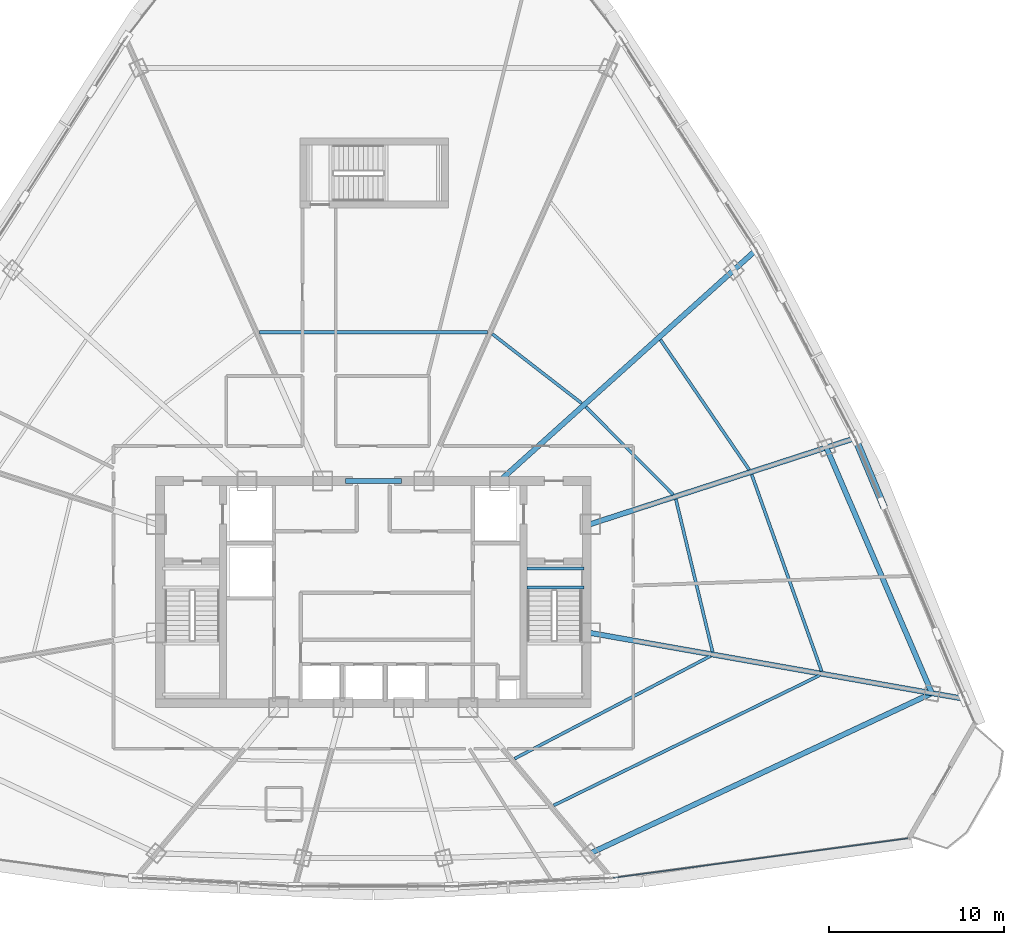
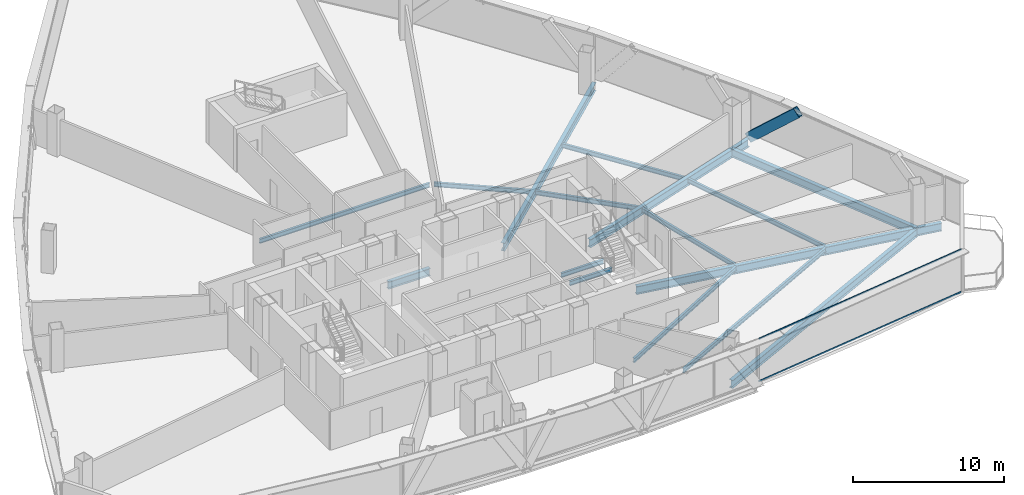
# One storey, part 15 of 37: 16 beams, 3 members, 1 element without a shape of its own.
"""IFC4 building model written with IfcOpenShell, lengths in metres."""

from ifc_helpers import new_model, si_unit, direction, frame, origin, origin_2d, place, context, subcontext, project, spatial, hollow_rectangle, i_section, extrude, source, transform, mapped, material, layer, layer_set, material_profile, profile_set, type_object, element, aggregate, save


model = new_model("IFC4")

# Units and contexts
model_context = context("Model", 3, precision=1e-05, world=origin(), true_north=direction((0.0, 1.0)))
body_context = subcontext(model_context, "Body", "Model", "MODEL_VIEW")
ifc_project = project(units=[si_unit("LENGTHUNIT", "METRE"), si_unit("AREAUNIT", "SQUARE_METRE"), si_unit("VOLUMEUNIT", "CUBIC_METRE"), si_unit("PLANEANGLEUNIT", "RADIAN"), si_unit("MASSUNIT", "GRAM", prefix="KILO"), si_unit("THERMODYNAMICTEMPERATUREUNIT", "KELVIN"), si_unit("POWERUNIT", "WATT")], contexts=[model_context])

# Site, building, storey
site_placement = place(None, origin())
site = spatial("IfcSite", under=ifc_project, at=site_placement, CompositionType="ELEMENT")
building_placement = place(site_placement, origin())
building = spatial("IfcBuilding", under=site, at=building_placement, Name="Yunzhuo Pagoda Commons", CompositionType="ELEMENT")
storey_placement = place(building_placement, frame((0.0, 0.0, 255.719970703125)))
storey = spatial("IfcBuildingStorey", under=building, at=storey_placement, Name="L64", CompositionType="ELEMENT", Elevation=255.719970703125)

# Beams
ifc_material_1 = material(Name="Structural steel Q355B", Category="steel")
ifc_material_profile_1 = material_profile(ifc_material_1, i_section(OverallWidth=0.175048828125, OverallDepth=0.35009765625, WebThickness=0.007080078125, FlangeThickness=0.010986328125, at=origin_2d()), Name="Structural steel Q355B")
ifc_profile_set_1 = profile_set([ifc_material_profile_1], Name="Structural steel Q355B")
beam_type_1 = type_object("IfcBeamType", Name="B-JS2 Joist HN 350x175x7x11", PredefinedType="JOIST", material=ifc_profile_set_1)
shared_shape_1 = source(origin(), body_context, "Body", "SweptSolid", [
    extrude(i_section(OverallWidth=0.175048828125, OverallDepth=0.35009765625, WebThickness=0.007080078125, FlangeThickness=0.010986328125, at=origin_2d()), origin(), (0.0, 0.0, 1.0), 3.25),
])
for number, where, z_axis, x_axis, name in (
    (1, (56.800048828125, 34.10009765625, -0.375), (1.0, 0.0, 0.0), (0.0, 1.0, 0.0), "L64 ST2 landing support beam 168A"),
    (2, (56.800048828125, 35.199951171875, -0.375), (1.0, 0.0, 0.0), (0.0, 1.0, 0.0), "L64 ST2 landing support beam 168B"),
):
    element("IfcBeam", number, at=place(storey_placement, frame(where, z_axis=z_axis, x_axis=x_axis)), inside=storey, type_object=beam_type_1, Name=name, PredefinedType="JOIST", context=body_context, shape_type="MappedRepresentation", body=[
        mapped(shared_shape_1, transform((0.0, 0.0, 0.0), scale=1.0)),
    ])
ifc_material_2 = material(Name="Structural steel Q420B", Category="steel")
ifc_material_profile_2 = material_profile(ifc_material_2, i_section(OverallWidth=0.300048828125, OverallDepth=0.587890625, WebThickness=0.011962890625, FlangeThickness=0.02001953125, at=origin_2d()), Name="Structural steel Q420B")
ifc_profile_set_2 = profile_set([ifc_material_profile_2], Name="Structural steel Q420B")
beam_type_2 = type_object("IfcBeamType", Name="B-CPL Beam HM 588x300x12x20", PredefinedType="BEAM", material=ifc_profile_set_2)
shared_shape_2 = source(origin(), body_context, "Body", "SweptSolid", [
    extrude(i_section(OverallWidth=0.300048828125, OverallDepth=0.587890625, WebThickness=0.011962890625, FlangeThickness=0.02001953125, at=origin_2d()), origin(), (0.0, 0.0, 1.0), 3.2001953125),
])
beam_1_placement = place(storey_placement, frame((46.39990234375, 40.199951171875, -0.553955078125), z_axis=(1.0, 0.0, 0.0), x_axis=(0.0, 1.0, 0.0)))
element("IfcBeam", 3, at=beam_1_placement, inside=storey, type_object=beam_type_2, Name="L64 core coupling girder", PredefinedType="BEAM", context=body_context, shape_type="MappedRepresentation", body=[
    mapped(shared_shape_2, transform((0.0, 0.0, 0.0), scale=1.0)),
])
ifc_material_profile_3 = material_profile(ifc_material_1, i_section(OverallWidth=0.300048828125, OverallDepth=0.64990234375, WebThickness=0.012939453125, FlangeThickness=0.02197265625, at=origin_2d()), Name="Structural steel Q355B")
ifc_profile_set_3 = profile_set([ifc_material_profile_3], Name="Structural steel Q355B")
beam_type_3 = type_object("IfcBeamType", Name="B-RG2 Beam HN 650x300x13x22", PredefinedType="BEAM", material=ifc_profile_set_3)
shared_shape_3 = source(origin(), body_context, "Body", "SweptSolid", [
    extrude(i_section(OverallWidth=0.300048828125, OverallDepth=0.64990234375, WebThickness=0.012939453125, FlangeThickness=0.02197265625, at=origin_2d()), origin(), (0.0, 0.0, 1.0), 21.56689453125),
])
beam_2_placement = place(storey_placement, frame((60.406982421875, 18.913818359375, -0.5849609375), z_axis=(0.905424265365, 0.424507832304, 0.0), x_axis=(-0.424507832304, 0.905424265365, 0.0)))
element("IfcBeam", 4, at=beam_2_placement, inside=storey, type_object=beam_type_3, Name="L64 column-ring beam 4", PredefinedType="BEAM", context=body_context, shape_type="MappedRepresentation", body=[
    mapped(shared_shape_3, transform((0.0, 0.0, 0.0), scale=1.0)),
])
shared_shape_4 = source(origin(), body_context, "Body", "SweptSolid", [
    extrude(i_section(OverallWidth=0.300048828125, OverallDepth=0.64990234375, WebThickness=0.012939453125, FlangeThickness=0.02197265625, at=origin_2d()), origin(), (0.0, 0.0, 1.0), 15.28759765625),
])
beam_3_placement = place(storey_placement, frame((79.93408203125, 28.069091796875, -0.5849609375), z_axis=(-0.394788372839, 0.918772083093, 0.0), x_axis=(-0.918772083093, -0.394788372839, 0.0)))
element("IfcBeam", 5, at=beam_3_placement, inside=storey, type_object=beam_type_3, Name="L64 column-ring beam 5", PredefinedType="BEAM", context=body_context, shape_type="MappedRepresentation", body=[
    mapped(shared_shape_4, transform((0.0, 0.0, 0.0), scale=1.0)),
])
shared_shape_5 = source(origin(), body_context, "Body", "SweptSolid", [
    extrude(i_section(OverallWidth=0.175048828125, OverallDepth=0.35009765625, WebThickness=0.007080078125, FlangeThickness=0.010986328125, at=origin_2d()), origin(), (0.0, 0.0, 1.0), 12.666259765625),
])
beam_4_placement = place(storey_placement, frame((56.0712890625, 24.32275390625, -0.43505859375), z_axis=(0.885841344078, 0.463988268302, 0.0), x_axis=(-0.463988268302, 0.885841344078, 0.0)))
element("IfcBeam", 6, at=beam_4_placement, inside=storey, type_object=beam_type_1, Name="L64 composite ring joist 1.4", PredefinedType="JOIST", context=body_context, shape_type="MappedRepresentation", body=[
    mapped(shared_shape_5, transform((0.0, 0.0, 0.0), scale=1.0)),
])
shared_shape_6 = source(origin(), body_context, "Body", "SweptSolid", [
    extrude(i_section(OverallWidth=0.175048828125, OverallDepth=0.35009765625, WebThickness=0.007080078125, FlangeThickness=0.010986328125, at=origin_2d()), origin(), (0.0, 0.0, 1.0), 16.95361328125),
])
beam_5_placement = place(storey_placement, frame((58.3115234375, 21.6513671875, -0.43505859375), z_axis=(0.898261717675, 0.439460904473, 0.0), x_axis=(-0.439460904473, 0.898261717675, 0.0)))
element("IfcBeam", 7, at=beam_5_placement, inside=storey, type_object=beam_type_1, Name="L64 composite ring joist 2.4", PredefinedType="JOIST", context=body_context, shape_type="MappedRepresentation", body=[
    mapped(shared_shape_6, transform((0.0, 0.0, 0.0), scale=1.0)),
])
shared_shape_7 = source(origin(), body_context, "Body", "SweptSolid", [
    extrude(i_section(OverallWidth=0.175048828125, OverallDepth=0.35009765625, WebThickness=0.007080078125, FlangeThickness=0.010986328125, at=origin_2d()), origin(), (0.0, 0.0, 1.0), 8.973876953125),
])
beam_6_placement = place(storey_placement, frame((67.395263671875, 30.42822265625, -0.43505859375), z_axis=(-0.233858589105, 0.972270620919, 0.0), x_axis=(-0.972270620919, -0.233858589105, 0.0)))
element("IfcBeam", 8, at=beam_6_placement, inside=storey, type_object=beam_type_1, Name="L64 composite ring joist 1.5", PredefinedType="JOIST", context=body_context, shape_type="MappedRepresentation", body=[
    mapped(shared_shape_7, transform((0.0, 0.0, 0.0), scale=1.0)),
])
shared_shape_8 = source(origin(), body_context, "Body", "SweptSolid", [
    extrude(i_section(OverallWidth=0.175048828125, OverallDepth=0.35009765625, WebThickness=0.007080078125, FlangeThickness=0.010986328125, at=origin_2d()), origin(), (0.0, 0.0, 1.0), 11.929931640625),
])
beam_7_placement = place(storey_placement, frame((73.6298828125, 29.3212890625, -0.43505859375), z_axis=(-0.335086374925, 0.942187413066, 0.0), x_axis=(-0.942187413066, -0.335086374925, 0.0)))
element("IfcBeam", 9, at=beam_7_placement, inside=storey, type_object=beam_type_1, Name="L64 composite ring joist 2.5", PredefinedType="JOIST", context=body_context, shape_type="MappedRepresentation", body=[
    mapped(shared_shape_8, transform((0.0, 0.0, 0.0), scale=1.0)),
])
shared_shape_9 = source(origin(), body_context, "Body", "SweptSolid", [
    extrude(i_section(OverallWidth=0.175048828125, OverallDepth=0.35009765625, WebThickness=0.007080078125, FlangeThickness=0.010986328125, at=origin_2d()), origin(), (0.0, 0.0, 1.0), 7.0732421875),
])
beam_8_placement = place(storey_placement, frame((65.147216796875, 39.42041015625, -0.43505859375), z_axis=(-0.706139657206, 0.708072584218, 0.0), x_axis=(-0.708072584218, -0.706139657206, 0.0)))
element("IfcBeam", 10, at=beam_8_placement, inside=storey, type_object=beam_type_1, Name="L64 composite ring joist 1.6", PredefinedType="JOIST", context=body_context, shape_type="MappedRepresentation", body=[
    mapped(shared_shape_9, transform((0.0, 0.0, 0.0), scale=1.0)),
])
shared_shape_10 = source(origin(), body_context, "Body", "SweptSolid", [
    extrude(i_section(OverallWidth=0.175048828125, OverallDepth=0.35009765625, WebThickness=0.007080078125, FlangeThickness=0.010986328125, at=origin_2d()), origin(), (0.0, 0.0, 1.0), 8.99365234375),
])
beam_9_placement = place(storey_placement, frame((69.4892578125, 40.8427734375, -0.43505859375), z_axis=(-0.564098900337, 0.825707230584, 0.0), x_axis=(-0.825707230584, -0.564098900337, 0.0)))
element("IfcBeam", 11, at=beam_9_placement, inside=storey, type_object=beam_type_1, Name="L64 composite ring joist 2.6", PredefinedType="JOIST", context=body_context, shape_type="MappedRepresentation", body=[
    mapped(shared_shape_10, transform((0.0, 0.0, 0.0), scale=1.0)),
])
shared_shape_11 = source(origin(), body_context, "Body", "SweptSolid", [
    extrude(i_section(OverallWidth=0.175048828125, OverallDepth=0.35009765625, WebThickness=0.007080078125, FlangeThickness=0.010986328125, at=origin_2d()), origin(), (0.0, 0.0, 1.0), 6.4677734375),
])
beam_10_placement = place(storey_placement, frame((59.914794921875, 44.638671875, -0.43505859375), z_axis=(-0.790160481991, 0.612900002202, 0.0), x_axis=(-0.612900002202, -0.790160481991, 0.0)))
element("IfcBeam", 12, at=beam_10_placement, inside=storey, type_object=beam_type_1, Name="L64 composite ring joist 1.7", PredefinedType="JOIST", context=body_context, shape_type="MappedRepresentation", body=[
    mapped(shared_shape_11, transform((0.0, 0.0, 0.0), scale=1.0)),
])
shared_shape_12 = source(origin(), body_context, "Body", "SweptSolid", [
    extrude(i_section(OverallWidth=0.175048828125, OverallDepth=0.35009765625, WebThickness=0.007080078125, FlangeThickness=0.010986328125, at=origin_2d()), origin(), (0.0, 0.0, 1.0), 13.0390625),
])
beam_11_placement = place(storey_placement, frame((54.51953125, 48.7001953125, -0.43505859375), z_axis=(-1.0, 0.0, 0.0), x_axis=(0.0, -1.0, 0.0)))
element("IfcBeam", 13, at=beam_11_placement, inside=storey, type_object=beam_type_1, Name="L64 composite ring joist 1.8", PredefinedType="JOIST", context=body_context, shape_type="MappedRepresentation", body=[
    mapped(shared_shape_12, transform((0.0, 0.0, 0.0), scale=1.0)),
])
shared_shape_13 = source(origin(), body_context, "Body", "SweptSolid", [
    extrude(i_section(OverallWidth=0.300048828125, OverallDepth=0.64990234375, WebThickness=0.012939453125, FlangeThickness=0.02197265625, at=origin_2d()), origin(), (0.0, 0.0, 1.0), 21.561279296875),
])
beam_12_placement = place(storey_placement, frame((81.633544921875, 27.76953125, -0.5849609375), z_axis=(-0.984809082291, 0.173640638784, 0.0), x_axis=(-0.173640638784, -0.984809082291, 0.0)))
element("IfcBeam", 14, at=beam_12_placement, inside=storey, type_object=beam_type_3, Name="L64 radial floor girder F2C1", PredefinedType="BEAM", context=body_context, shape_type="MappedRepresentation", body=[
    mapped(shared_shape_13, transform((0.0, 0.0, 0.0), scale=1.0)),
])
shared_shape_14 = source(origin(), body_context, "Body", "SweptSolid", [
    extrude(i_section(OverallWidth=0.300048828125, OverallDepth=0.64990234375, WebThickness=0.012939453125, FlangeThickness=0.02197265625, at=origin_2d()), origin(), (0.0, 0.0, 1.0), 15.7705078125),
])
beam_13_placement = place(storey_placement, frame((75.398681640625, 42.602294921875, -0.5849609375), z_axis=(-0.951058525128, -0.309010811754, 0.0), x_axis=(0.309010811754, -0.951058525128, 0.0)))
element("IfcBeam", 15, at=beam_13_placement, inside=storey, type_object=beam_type_3, Name="L64 radial floor girder F2C2", PredefinedType="BEAM", context=body_context, shape_type="MappedRepresentation", body=[
    mapped(shared_shape_14, transform((0.0, 0.0, 0.0), scale=1.0)),
])
shared_shape_15 = source(origin(), body_context, "Body", "SweptSolid", [
    extrude(i_section(OverallWidth=0.300048828125, OverallDepth=0.64990234375, WebThickness=0.012939453125, FlangeThickness=0.02197265625, at=origin_2d()), origin(), (0.0, 0.0, 1.0), 19.60302734375),
])
beam_14_placement = place(storey_placement, frame((69.78662109375, 53.317138671875, -0.5849609375), z_axis=(-0.743133733174, -0.669142925405, 0.0), x_axis=(0.669142925405, -0.743133733174, 0.0)))
element("IfcBeam", 16, at=beam_14_placement, inside=storey, type_object=beam_type_3, Name="L64 radial floor girder F2C3", PredefinedType="BEAM", context=body_context, shape_type="MappedRepresentation", body=[
    mapped(shared_shape_15, transform((0.0, 0.0, 0.0), scale=1.0)),
])

# Member
ifc_material_profile_4 = material_profile(ifc_material_1, hollow_rectangle(XDim=0.39990234375, YDim=0.719970703125, WallThickness=0.02392578125, at=origin_2d()), Name="Structural steel Q355B")
ifc_profile_set_4 = profile_set([ifc_material_profile_4], Name="Structural steel Q355B")
member_type_1 = type_object("IfcMemberType", Name="M-DL2 Brace BOX 720x400x24", PredefinedType="BRACE", material=ifc_profile_set_4)
shared_shape_16 = source(origin(), body_context, "Body", "SweptSolid", [
    extrude(hollow_rectangle(XDim=0.39990234375, YDim=0.719970703125, WallThickness=0.02392578125, at=origin_2d()), origin(), (0.0, 0.0, 1.0), 5.498779296875),
])
member_1_placement = place(storey_placement, frame((75.546142578125, 42.650390625, -0.260009765625), z_axis=(0.283705899684, -0.677786269886, 0.678319050918), x_axis=(0.922449997595, 0.386116565219, 0.0)))
element("IfcMember", 17, at=member_1_placement, inside=storey, type_object=member_type_1, Name="L64 facade diamond brace F2.1R", PredefinedType="BRACE", context=body_context, shape_type="MappedRepresentation", body=[
    mapped(shared_shape_16, transform((0.0, 0.0, 0.0), scale=1.0)),
])

# Curtain wall, members
ifc_material_3 = material(Name="Anodized aluminium 6063-T6", Category="aluminium")
ifc_layer = layer(ifc_material_3, 0.139892578125)
ifc_layer_set = layer_set([ifc_layer], Name="Anodized aluminium 6063-T6")
curtain_wall_type = type_object("IfcCurtainWallType", Name="CW-HI High-Zone Ribbon Curtain Wall", PredefinedType="NOTDEFINED", material=ifc_layer_set)
curtain_wall_placement = place(storey_placement, origin())
curtain_wall = element("IfcCurtainWall", 18, at=curtain_wall_placement, inside=storey, type_object=curtain_wall_type, Name="L64 curtain wall CW-L64-F1B5", PredefinedType="NOTDEFINED")
ifc_material_profile_5 = material_profile(ifc_material_3, hollow_rectangle(XDim=0.054931640625, YDim=0.1201171875, WallThickness=0.00341796875, at=origin_2d()), Name="Anodized aluminium 6063-T6")
ifc_profile_set_5 = profile_set([ifc_material_profile_5], Name="Anodized aluminium 6063-T6")
member_type_2 = type_object("IfcMemberType", Name="CW-HI-T Transom RHS 120x55x3.5", PredefinedType="USERDEFINED", material=ifc_profile_set_5)
shared_shape_17 = source(origin(), body_context, "Body", "SweptSolid", [
    extrude(hollow_rectangle(XDim=0.054931640625, YDim=0.1201171875, WallThickness=0.00341796875, at=origin_2d()), origin(), (0.0, 0.0, 1.0), 16.98193359375),
])
member_2_placement = place(storey_placement, frame((61.729248046875, 17.515380859375, 0.027587890625), z_axis=(0.991158834011, 0.132680690992, 0.0), x_axis=(-0.132680690992, 0.991158834011, 0.0)))
member_2 = element("IfcMember", 19, at=member_2_placement, type_object=member_type_2, Name="CW transom 1.1", ObjectType="TRANSOM", PredefinedType="USERDEFINED", context=body_context, shape_type="MappedRepresentation", body=[
    mapped(shared_shape_17, transform((0.0, 0.0, 0.0), scale=1.0)),
])
member_3_placement = place(storey_placement, frame((61.729248046875, 17.515380859375, 3.442626953125), z_axis=(0.991158834011, 0.132680690992, 0.0), x_axis=(-0.132680690992, 0.991158834011, 0.0)))
member_3 = element("IfcMember", 20, at=member_3_placement, type_object=member_type_2, Name="CW transom 1.2", ObjectType="TRANSOM", PredefinedType="USERDEFINED", context=body_context, shape_type="MappedRepresentation", body=[
    mapped(shared_shape_17, transform((0.0, 0.0, 0.0), scale=1.0)),
])
aggregate(curtain_wall, [member_2, member_3])

save(model, "model.ifc")
